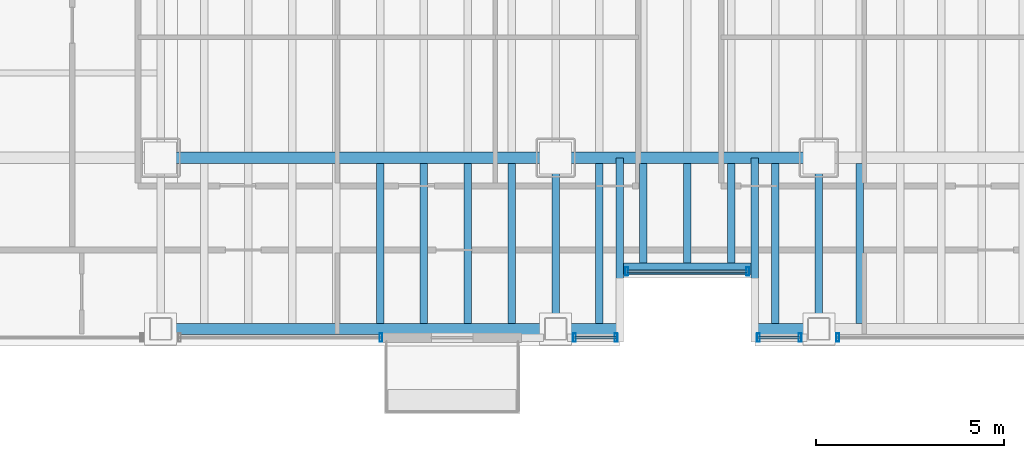
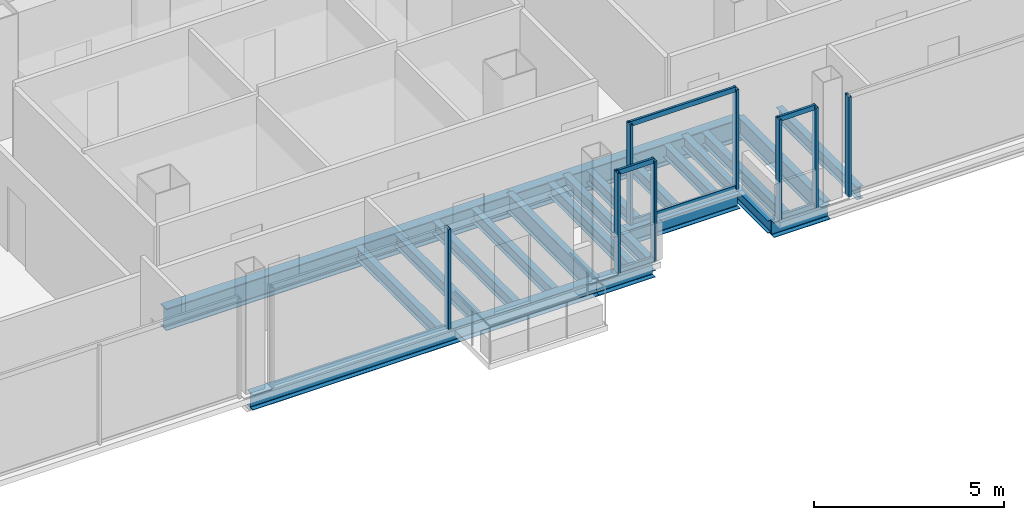
# One storey, part 4 of 21: 20 beams, 14 members, 5 elements without a shape of their own.
"""IFC4 building model written with IfcOpenShell, lengths in metres."""

from ifc_helpers import new_model, si_unit, direction, frame, origin, origin_2d, place, context, subcontext, project, spatial, hollow_rectangle, i_section, extrude, material, material_profile, profile_set, type_object, element, aggregate, save


model = new_model("IFC4")

# Units and contexts
model_context = context("Model", 3, precision=1e-05, world=origin(), true_north=direction((0.0, 1.0)))
body_context = subcontext(model_context, "Body", "Model", "MODEL_VIEW")
ifc_project = project(units=[si_unit("LENGTHUNIT", "METRE"), si_unit("AREAUNIT", "SQUARE_METRE"), si_unit("VOLUMEUNIT", "CUBIC_METRE"), si_unit("PLANEANGLEUNIT", "RADIAN"), si_unit("MASSUNIT", "GRAM", prefix="KILO")], contexts=[model_context])

# Site, building, storey
site_placement = place(None, origin())
site = spatial("IfcSite", under=ifc_project, at=site_placement, CompositionType="ELEMENT")
building_placement = place(site_placement, origin())
building = spatial("IfcBuilding", under=site, at=building_placement, Name="Noeulbin Bourse Tower", CompositionType="ELEMENT")
storey_placement = place(building_placement, frame((0.0, 0.0, 46.0)))
storey = spatial("IfcBuildingStorey", under=building, at=storey_placement, Name="L11", CompositionType="ELEMENT", Elevation=46.0)

# Beams
ifc_material_1 = material(Name="Steel S355", Category="steel")
ifc_material_profile_1 = material_profile(ifc_material_1, i_section(OverallWidth=0.199951171875, OverallDepth=0.60009765625, WebThickness=0.010986328125, FlangeThickness=0.01708984375, FilletRadius=0.02197265625, at=origin_2d()), Name="H-600x200x11x17", Category="LoadBearing")
ifc_profile_set_1 = profile_set([ifc_material_profile_1], Name="Steel S355")
beam_type_1 = type_object("IfcBeamType", Name="BM-GRD-600", PredefinedType="USERDEFINED", material=ifc_profile_set_1)
for number, where, z_axis, x_axis, name in (
    (1, (24.0, 15.449951171875, -0.47998046875), (0.0, 1.0, 0.0), (-1.0, 0.0, 0.0), "Tower Primary Girder NS L11-2.1"),
    (2, (31.0, 15.449951171875, -0.47998046875), (0.0, 1.0, 0.0), (-1.0, 0.0, 0.0), "Tower Primary Girder NS L11-3.1"),
):
    element("IfcBeam", number, at=place(storey_placement, frame(where, z_axis=z_axis, x_axis=x_axis)), inside=storey, type_object=beam_type_1, Name=name, ObjectType="GIRDER", PredefinedType="USERDEFINED", context=body_context, shape_type="SweptSolid", body=[
        extrude(i_section(OverallWidth=0.199951171875, OverallDepth=0.60009765625, WebThickness=0.010986328125, FlangeThickness=0.01708984375, FilletRadius=0.02197265625, at=origin_2d()), origin(), (0.0, 0.0, 1.0), 4.550048828125),
    ])
ifc_material_profile_2 = material_profile(ifc_material_1, i_section(OverallWidth=0.300048828125, OverallDepth=0.699951171875, WebThickness=0.012939453125, FlangeThickness=0.02392578125, FilletRadius=0.02392578125, at=origin_2d()), Name="H-700x300x13x24", Category="LoadBearing")
ifc_profile_set_2 = profile_set([ifc_material_profile_2], Name="Steel S355")
beam_type_2 = type_object("IfcBeamType", Name="BM-GRD-700", PredefinedType="USERDEFINED", material=ifc_profile_set_2)
beam_1_placement = place(storey_placement, frame((13.5, 20.0, -0.530029296875), z_axis=(1.0, 0.0, 0.0), x_axis=(0.0, 1.0, 0.0)))
element("IfcBeam", 3, at=beam_1_placement, inside=storey, type_object=beam_type_2, Name="Tower Primary Girder EW L11-1.2", ObjectType="GIRDER", PredefinedType="USERDEFINED", context=body_context, shape_type="SweptSolid", body=[
    extrude(i_section(OverallWidth=0.300048828125, OverallDepth=0.699951171875, WebThickness=0.012939453125, FlangeThickness=0.02392578125, FilletRadius=0.02392578125, at=origin_2d()), origin(), (0.0, 0.0, 1.0), 10.5),
])
beam_2_placement = place(storey_placement, frame((24.0, 20.0, -0.530029296875), z_axis=(1.0, 0.0, 0.0), x_axis=(0.0, 1.0, 0.0)))
element("IfcBeam", 4, at=beam_2_placement, inside=storey, type_object=beam_type_2, Name="Tower Primary Girder EW L11-1.3", ObjectType="GIRDER", PredefinedType="USERDEFINED", context=body_context, shape_type="SweptSolid", body=[
    extrude(i_section(OverallWidth=0.300048828125, OverallDepth=0.699951171875, WebThickness=0.012939453125, FlangeThickness=0.02392578125, FilletRadius=0.02392578125, at=origin_2d()), origin(), (0.0, 0.0, 1.0), 7.0),
])
ifc_material_profile_3 = material_profile(ifc_material_1, i_section(OverallWidth=0.199951171875, OverallDepth=0.39990234375, WebThickness=0.008056640625, FlangeThickness=0.012939453125, FilletRadius=0.01611328125, at=origin_2d()), Name="H-400x200x8x13", Category="LoadBearing")
ifc_profile_set_3 = profile_set([ifc_material_profile_3], Name="Steel S355")
beam_type_3 = type_object("IfcBeamType", Name="BM-SEC-400", PredefinedType="BEAM", material=ifc_profile_set_3)
for number, where, z_axis, x_axis, name in (
    (5, (25.699951171875, 15.449951171875, -0.3798828125), (0.0, 1.0, 0.0), (-1.0, 0.0, 0.0), "BM-L11-SRT-W"),
    (6, (29.300048828125, 15.449951171875, -0.3798828125), (0.0, 1.0, 0.0), (-1.0, 0.0, 0.0), "BM-L11-SRT-E"),
):
    element("IfcBeam", number, at=place(storey_placement, frame(where, z_axis=z_axis, x_axis=x_axis)), inside=storey, type_object=beam_type_3, Name=name, PredefinedType="BEAM", context=body_context, shape_type="SweptSolid", body=[
        extrude(i_section(OverallWidth=0.199951171875, OverallDepth=0.39990234375, WebThickness=0.008056640625, FlangeThickness=0.012939453125, FilletRadius=0.01611328125, at=origin_2d()), origin(), (0.0, 0.0, 1.0), 4.550048828125),
    ])
for number, where, z_axis, x_axis, name in (
    (7, (19.333251953125, 15.60009765625, -0.3798828125), (0.0, 1.0, 0.0), (-1.0, 0.0, 0.0), "Tower Composite Joist L11-13"),
    (8, (20.5, 15.60009765625, -0.3798828125), (0.0, 1.0, 0.0), (-1.0, 0.0, 0.0), "Tower Composite Joist L11-16"),
    (9, (21.666748046875, 15.60009765625, -0.3798828125), (0.0, 1.0, 0.0), (-1.0, 0.0, 0.0), "Tower Composite Joist L11-19"),
    (10, (22.833251953125, 15.60009765625, -0.3798828125), (0.0, 1.0, 0.0), (-1.0, 0.0, 0.0), "Tower Composite Joist L11-22"),
    (11, (25.166748046875, 15.60009765625, -0.3798828125), (0.0, 1.0, 0.0), (-1.0, 0.0, 0.0), "Tower Composite Joist L11-25"),
):
    element("IfcBeam", number, at=place(storey_placement, frame(where, z_axis=z_axis, x_axis=x_axis)), inside=storey, type_object=beam_type_3, Name=name, PredefinedType="BEAM", context=body_context, shape_type="SweptSolid", body=[
        extrude(i_section(OverallWidth=0.199951171875, OverallDepth=0.39990234375, WebThickness=0.008056640625, FlangeThickness=0.012939453125, FilletRadius=0.01611328125, at=origin_2d()), origin(), (0.0, 0.0, 1.0), 4.25),
    ])
for number, where, z_axis, x_axis, name in (
    (12, (26.333251953125, 17.199951171875, -0.3798828125), (0.0, 1.0, 0.0), (-1.0, 0.0, 0.0), "Tower Composite Joist L11-28"),
    (13, (27.5, 17.199951171875, -0.3798828125), (0.0, 1.0, 0.0), (-1.0, 0.0, 0.0), "Tower Composite Joist L11-31"),
    (14, (28.666748046875, 17.199951171875, -0.3798828125), (0.0, 1.0, 0.0), (-1.0, 0.0, 0.0), "Tower Composite Joist L11-34"),
):
    element("IfcBeam", number, at=place(storey_placement, frame(where, z_axis=z_axis, x_axis=x_axis)), inside=storey, type_object=beam_type_3, Name=name, PredefinedType="BEAM", context=body_context, shape_type="SweptSolid", body=[
        extrude(i_section(OverallWidth=0.199951171875, OverallDepth=0.39990234375, WebThickness=0.008056640625, FlangeThickness=0.012939453125, FilletRadius=0.01611328125, at=origin_2d()), origin(), (0.0, 0.0, 1.0), 2.650146484375),
    ])
for number, where, z_axis, x_axis, name in (
    (15, (29.833251953125, 15.60009765625, -0.3798828125), (0.0, 1.0, 0.0), (-1.0, 0.0, 0.0), "Tower Composite Joist L11-37"),
    (16, (32.083251953125, 15.60009765625, -0.3798828125), (0.0, 1.0, 0.0), (-1.0, 0.0, 0.0), "Tower Composite Joist L11-40"),
):
    element("IfcBeam", number, at=place(storey_placement, frame(where, z_axis=z_axis, x_axis=x_axis)), inside=storey, type_object=beam_type_3, Name=name, PredefinedType="BEAM", context=body_context, shape_type="SweptSolid", body=[
        extrude(i_section(OverallWidth=0.199951171875, OverallDepth=0.39990234375, WebThickness=0.008056640625, FlangeThickness=0.012939453125, FilletRadius=0.01611328125, at=origin_2d()), origin(), (0.0, 0.0, 1.0), 4.25),
    ])
ifc_material_profile_4 = material_profile(ifc_material_1, i_section(OverallWidth=0.300048828125, OverallDepth=0.488037109375, WebThickness=0.010986328125, FlangeThickness=0.01806640625, FilletRadius=0.02197265625, at=origin_2d()), Name="H-488x300x11x18", Category="LoadBearing")
ifc_profile_set_4 = profile_set([ifc_material_profile_4], Name="Steel S355")
beam_type_4 = type_object("IfcBeamType", Name="BM-SPN-488", PredefinedType="SPANDREL", material=ifc_profile_set_4)
beam_3_placement = place(storey_placement, frame((13.5, 15.449951171875, -0.424072265625), z_axis=(1.0, 0.0, 0.0), x_axis=(0.0, 1.0, 0.0)))
element("IfcBeam", 17, at=beam_3_placement, inside=storey, type_object=beam_type_4, Name="South Spandrel L11-1", PredefinedType="SPANDREL", context=body_context, shape_type="SweptSolid", body=[
    extrude(i_section(OverallWidth=0.300048828125, OverallDepth=0.488037109375, WebThickness=0.010986328125, FlangeThickness=0.01806640625, FilletRadius=0.02197265625, at=origin_2d()), origin(), (0.0, 0.0, 1.0), 10.5),
])
beam_4_placement = place(storey_placement, frame((25.800048828125, 17.050048828125, -0.424072265625), z_axis=(1.0, 0.0, 0.0), x_axis=(0.0, 1.0, 0.0)))
element("IfcBeam", 18, at=beam_4_placement, inside=storey, type_object=beam_type_4, Name="South Recess Spandrel L11-2B", PredefinedType="SPANDREL", context=body_context, shape_type="SweptSolid", body=[
    extrude(i_section(OverallWidth=0.300048828125, OverallDepth=0.488037109375, WebThickness=0.010986328125, FlangeThickness=0.01806640625, FilletRadius=0.02197265625, at=origin_2d()), origin(), (0.0, 0.0, 1.0), 3.39990234375),
])
for number, where, z_axis, x_axis, name in (
    (19, (24.0, 15.449951171875, -0.424072265625), (1.0, 0.0, 0.0), (0.0, 1.0, 0.0), "South Spandrel L11-2A"),
    (20, (29.300048828125, 15.449951171875, -0.424072265625), (1.0, 0.0, 0.0), (0.0, 1.0, 0.0), "South Spandrel L11-2C"),
):
    element("IfcBeam", number, at=place(storey_placement, frame(where, z_axis=z_axis, x_axis=x_axis)), inside=storey, type_object=beam_type_4, Name=name, PredefinedType="SPANDREL", context=body_context, shape_type="SweptSolid", body=[
        extrude(i_section(OverallWidth=0.300048828125, OverallDepth=0.488037109375, WebThickness=0.010986328125, FlangeThickness=0.01806640625, FilletRadius=0.02197265625, at=origin_2d()), origin(), (0.0, 0.0, 1.0), 1.699951171875),
    ])

# Curtain wall, members
ifc_material_2 = material(Name="Dark Solar-Control Double Glazing", Category="glass")
curtain_wall_type = type_object("IfcCurtainWallType", Name="CW-SYS-2", PredefinedType="NOTDEFINED", material=ifc_material_2)
curtain_wall_1_placement = place(storey_placement, origin())
curtain_wall_1 = element("IfcCurtainWall", 21, at=curtain_wall_1_placement, inside=storey, type_object=curtain_wall_type, Name="Unitised Curtain Wall CW-L11-SREC", PredefinedType="NOTDEFINED")
ifc_material_3 = material(Name="Anodised Aluminium 6063-T6", Category="aluminium")
ifc_material_profile_5 = material_profile(ifc_material_3, hollow_rectangle(XDim=0.074951171875, YDim=0.219970703125, WallThickness=0.0048828125, InnerFilletRadius=0.00244140625, OuterFilletRadius=0.0048828125, at=origin_2d()), Name="ALU-MULL-75x220x5", Category="LoadBearing")
ifc_profile_set_5 = profile_set([ifc_material_profile_5], Name="Anodised Aluminium 6063-T6")
member_type_1 = type_object("IfcMemberType", Name="CW-SYS-2-MUL", PredefinedType="MULLION", material=ifc_profile_set_5)
member_1_placement = place(storey_placement, frame((25.889892578125, 16.97998046875, -0.02001953125), z_axis=(0.0, 0.0, 1.0), x_axis=(1.0, 0.0, 0.0)))
member_1 = element("IfcMember", 22, at=member_1_placement, type_object=member_type_1, Name="Curtain Wall Mullion CW-L11-SREC-M00", PredefinedType="MULLION", context=body_context, shape_type="SweptSolid", body=[
    extrude(hollow_rectangle(XDim=0.074951171875, YDim=0.219970703125, WallThickness=0.0048828125, InnerFilletRadius=0.00244140625, OuterFilletRadius=0.0048828125, at=origin_2d()), origin(), (0.0, 0.0, 1.0), 3.219970703125),
])
member_2_placement = place(storey_placement, frame((29.110107421875, 16.97998046875, -0.02001953125), z_axis=(0.0, 0.0, 1.0), x_axis=(1.0, 0.0, 0.0)))
member_2 = element("IfcMember", 23, at=member_2_placement, type_object=member_type_1, Name="Curtain Wall Mullion CW-L11-SREC-M01", PredefinedType="MULLION", context=body_context, shape_type="SweptSolid", body=[
    extrude(hollow_rectangle(XDim=0.074951171875, YDim=0.219970703125, WallThickness=0.0048828125, InnerFilletRadius=0.00244140625, OuterFilletRadius=0.0048828125, at=origin_2d()), origin(), (0.0, 0.0, 1.0), 3.219970703125),
])

# Curtain wall, member
curtain_wall_2_placement = place(storey_placement, origin())
curtain_wall_2 = element("IfcCurtainWall", 24, at=curtain_wall_2_placement, inside=storey, type_object=curtain_wall_type, Name="Unitised Curtain Wall CW-L11-S1-S2", PredefinedType="NOTDEFINED")
member_3_placement = place(storey_placement, frame((19.360107421875, 15.219970703125, -0.02001953125), z_axis=(0.0, 0.0, 1.0), x_axis=(1.0, 0.0, 0.0)))
member_3 = element("IfcMember", 25, at=member_3_placement, type_object=member_type_1, Name="Curtain Wall Mullion CW-L11-S1-S2-M01", PredefinedType="MULLION", context=body_context, shape_type="SweptSolid", body=[
    extrude(hollow_rectangle(XDim=0.074951171875, YDim=0.219970703125, WallThickness=0.0048828125, InnerFilletRadius=0.00244140625, OuterFilletRadius=0.0048828125, at=origin_2d()), origin(), (0.0, 0.0, 1.0), 3.219970703125),
])
aggregate(curtain_wall_2, [member_3])

# Curtain wall, members
curtain_wall_3_placement = place(storey_placement, origin())
curtain_wall_3 = element("IfcCurtainWall", 26, at=curtain_wall_3_placement, inside=storey, type_object=curtain_wall_type, Name="Unitised Curtain Wall CW-L11-S2", PredefinedType="NOTDEFINED")
member_4_placement = place(storey_placement, frame((24.5, 15.219970703125, -0.02001953125), z_axis=(0.0, 0.0, 1.0), x_axis=(1.0, 0.0, 0.0)))
member_4 = element("IfcMember", 27, at=member_4_placement, type_object=member_type_1, Name="Curtain Wall Mullion CW-L11-S2-M00", PredefinedType="MULLION", context=body_context, shape_type="SweptSolid", body=[
    extrude(hollow_rectangle(XDim=0.074951171875, YDim=0.219970703125, WallThickness=0.0048828125, InnerFilletRadius=0.00244140625, OuterFilletRadius=0.0048828125, at=origin_2d()), origin(), (0.0, 0.0, 1.0), 3.219970703125),
])
member_5_placement = place(storey_placement, frame((25.610107421875, 15.219970703125, -0.02001953125), z_axis=(0.0, 0.0, 1.0), x_axis=(1.0, 0.0, 0.0)))
member_5 = element("IfcMember", 28, at=member_5_placement, type_object=member_type_1, Name="Curtain Wall Mullion CW-L11-S2-M01", PredefinedType="MULLION", context=body_context, shape_type="SweptSolid", body=[
    extrude(hollow_rectangle(XDim=0.074951171875, YDim=0.219970703125, WallThickness=0.0048828125, InnerFilletRadius=0.00244140625, OuterFilletRadius=0.0048828125, at=origin_2d()), origin(), (0.0, 0.0, 1.0), 3.219970703125),
])

curtain_wall_4_placement = place(storey_placement, origin())
curtain_wall_4 = element("IfcCurtainWall", 29, at=curtain_wall_4_placement, inside=storey, type_object=curtain_wall_type, Name="Unitised Curtain Wall CW-L11-S3-S1", PredefinedType="NOTDEFINED")
member_6_placement = place(storey_placement, frame((29.389892578125, 15.219970703125, -0.02001953125), z_axis=(0.0, 0.0, 1.0), x_axis=(1.0, 0.0, 0.0)))
member_6 = element("IfcMember", 30, at=member_6_placement, type_object=member_type_1, Name="Curtain Wall Mullion CW-L11-S3-S1-M00", PredefinedType="MULLION", context=body_context, shape_type="SweptSolid", body=[
    extrude(hollow_rectangle(XDim=0.074951171875, YDim=0.219970703125, WallThickness=0.0048828125, InnerFilletRadius=0.00244140625, OuterFilletRadius=0.0048828125, at=origin_2d()), origin(), (0.0, 0.0, 1.0), 3.219970703125),
])
member_7_placement = place(storey_placement, frame((30.5, 15.219970703125, -0.02001953125), z_axis=(0.0, 0.0, 1.0), x_axis=(1.0, 0.0, 0.0)))
member_7 = element("IfcMember", 31, at=member_7_placement, type_object=member_type_1, Name="Curtain Wall Mullion CW-L11-S3-S1-M01", PredefinedType="MULLION", context=body_context, shape_type="SweptSolid", body=[
    extrude(hollow_rectangle(XDim=0.074951171875, YDim=0.219970703125, WallThickness=0.0048828125, InnerFilletRadius=0.00244140625, OuterFilletRadius=0.0048828125, at=origin_2d()), origin(), (0.0, 0.0, 1.0), 3.219970703125),
])

# Curtain wall, member
curtain_wall_5_placement = place(storey_placement, origin())
curtain_wall_5 = element("IfcCurtainWall", 32, at=curtain_wall_5_placement, inside=storey, type_object=curtain_wall_type, Name="Unitised Curtain Wall CW-L11-S3-S2", PredefinedType="NOTDEFINED")
member_8_placement = place(storey_placement, frame((31.5, 15.219970703125, -0.02001953125), z_axis=(0.0, 0.0, 1.0), x_axis=(1.0, 0.0, 0.0)))
member_8 = element("IfcMember", 33, at=member_8_placement, type_object=member_type_1, Name="Curtain Wall Mullion CW-L11-S3-S2-M00", PredefinedType="MULLION", context=body_context, shape_type="SweptSolid", body=[
    extrude(hollow_rectangle(XDim=0.074951171875, YDim=0.219970703125, WallThickness=0.0048828125, InnerFilletRadius=0.00244140625, OuterFilletRadius=0.0048828125, at=origin_2d()), origin(), (0.0, 0.0, 1.0), 3.219970703125),
])
aggregate(curtain_wall_5, [member_8])

# Member
ifc_material_profile_6 = material_profile(ifc_material_3, hollow_rectangle(XDim=0.074951171875, YDim=0.159912109375, WallThickness=0.0048828125, InnerFilletRadius=0.00244140625, OuterFilletRadius=0.0048828125, at=origin_2d()), Name="ALU-TRAN-75x160x5", Category="LoadBearing")
ifc_profile_set_6 = profile_set([ifc_material_profile_6], Name="Anodised Aluminium 6063-T6")
member_type_2 = type_object("IfcMemberType", Name="CW-SYS-2-TRN", PredefinedType="USERDEFINED", material=ifc_profile_set_6)
member_9_placement = place(storey_placement, frame((25.89990234375, 16.97998046875, 0.010009765625), z_axis=(1.0, 0.0, 0.0), x_axis=(0.0, 1.0, 0.0)))
member_9 = element("IfcMember", 34, at=member_9_placement, type_object=member_type_2, Name="Curtain Wall Transom CW-L11-SREC-T00", ObjectType="TRANSOM", PredefinedType="USERDEFINED", context=body_context, shape_type="SweptSolid", body=[
    extrude(hollow_rectangle(XDim=0.074951171875, YDim=0.159912109375, WallThickness=0.0048828125, InnerFilletRadius=0.00244140625, OuterFilletRadius=0.0048828125, at=origin_2d()), origin(), (0.0, 0.0, 1.0), 3.2001953125),
])

member_10_placement = place(storey_placement, frame((25.89990234375, 16.97998046875, 3.169921875), z_axis=(1.0, 0.0, 0.0), x_axis=(0.0, 1.0, 0.0)))
member_10 = element("IfcMember", 35, at=member_10_placement, type_object=member_type_2, Name="Curtain Wall Transom CW-L11-SREC-T01", ObjectType="TRANSOM", PredefinedType="USERDEFINED", context=body_context, shape_type="SweptSolid", body=[
    extrude(hollow_rectangle(XDim=0.074951171875, YDim=0.159912109375, WallThickness=0.0048828125, InnerFilletRadius=0.00244140625, OuterFilletRadius=0.0048828125, at=origin_2d()), origin(), (0.0, 0.0, 1.0), 3.2001953125),
])

aggregate(curtain_wall_1, [member_1, member_2, member_9, member_10])

member_11_placement = place(storey_placement, frame((24.510009765625, 15.219970703125, 0.010009765625), z_axis=(1.0, 0.0, 0.0), x_axis=(0.0, 1.0, 0.0)))
member_11 = element("IfcMember", 36, at=member_11_placement, type_object=member_type_2, Name="Curtain Wall Transom CW-L11-S2-T00", ObjectType="TRANSOM", PredefinedType="USERDEFINED", context=body_context, shape_type="SweptSolid", body=[
    extrude(hollow_rectangle(XDim=0.074951171875, YDim=0.159912109375, WallThickness=0.0048828125, InnerFilletRadius=0.00244140625, OuterFilletRadius=0.0048828125, at=origin_2d()), origin(), (0.0, 0.0, 1.0), 1.090087890625),
])

member_12_placement = place(storey_placement, frame((24.510009765625, 15.219970703125, 3.169921875), z_axis=(1.0, 0.0, 0.0), x_axis=(0.0, 1.0, 0.0)))
member_12 = element("IfcMember", 37, at=member_12_placement, type_object=member_type_2, Name="Curtain Wall Transom CW-L11-S2-T01", ObjectType="TRANSOM", PredefinedType="USERDEFINED", context=body_context, shape_type="SweptSolid", body=[
    extrude(hollow_rectangle(XDim=0.074951171875, YDim=0.159912109375, WallThickness=0.0048828125, InnerFilletRadius=0.00244140625, OuterFilletRadius=0.0048828125, at=origin_2d()), origin(), (0.0, 0.0, 1.0), 1.090087890625),
])

aggregate(curtain_wall_3, [member_4, member_5, member_11, member_12])

member_13_placement = place(storey_placement, frame((29.39990234375, 15.219970703125, 0.010009765625), z_axis=(1.0, 0.0, 0.0), x_axis=(0.0, 1.0, 0.0)))
member_13 = element("IfcMember", 38, at=member_13_placement, type_object=member_type_2, Name="Curtain Wall Transom CW-L11-S3-S1-T00", ObjectType="TRANSOM", PredefinedType="USERDEFINED", context=body_context, shape_type="SweptSolid", body=[
    extrude(hollow_rectangle(XDim=0.074951171875, YDim=0.159912109375, WallThickness=0.0048828125, InnerFilletRadius=0.00244140625, OuterFilletRadius=0.0048828125, at=origin_2d()), origin(), (0.0, 0.0, 1.0), 1.090087890625),
])

member_14_placement = place(storey_placement, frame((29.39990234375, 15.219970703125, 3.169921875), z_axis=(1.0, 0.0, 0.0), x_axis=(0.0, 1.0, 0.0)))
member_14 = element("IfcMember", 39, at=member_14_placement, type_object=member_type_2, Name="Curtain Wall Transom CW-L11-S3-S1-T01", ObjectType="TRANSOM", PredefinedType="USERDEFINED", context=body_context, shape_type="SweptSolid", body=[
    extrude(hollow_rectangle(XDim=0.074951171875, YDim=0.159912109375, WallThickness=0.0048828125, InnerFilletRadius=0.00244140625, OuterFilletRadius=0.0048828125, at=origin_2d()), origin(), (0.0, 0.0, 1.0), 1.090087890625),
])

aggregate(curtain_wall_4, [member_6, member_7, member_13, member_14])

save(model, "model.ifc")
